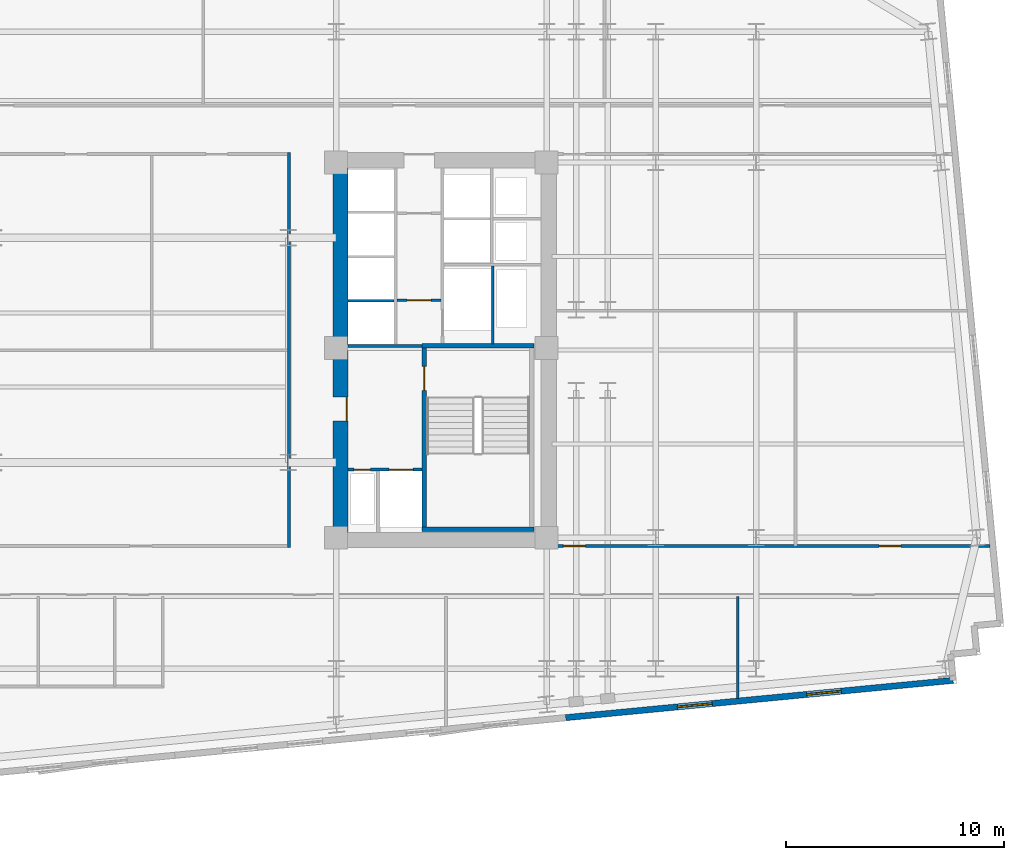
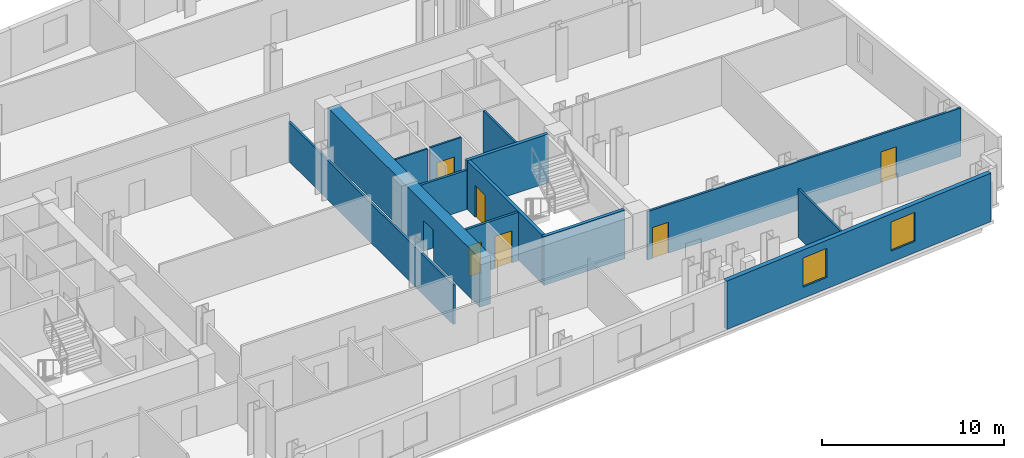
# One storey, part 6 of 10: 13 walls, 7 doors, 2 windows, 9 openings.
"""IFC4 building model written with IfcOpenShell, lengths in metres."""

import ifcopenshell
import ifcopenshell.guid

model = None  # the IFC model being written
_history = None  # IfcOwnerHistory: only IFC2X3 demands one
_inside = {}  # id of a spatial element -> (the spatial element, [elements in it])
_under = {}  # id of a project, library or spatial element -> (it, [spatial elements below it])
_declared = {}  # id of a project -> (the project, [libraries it declares])
_typed = {}  # id of a type object -> (the type object, [elements of that type])
_made_of = {}  # id of a material, layer set ... -> (it, [elements and type objects made of it])


def new_model(schema):
    """Start an empty IFC model of exactly this schema.

    Asked for "IFC4X3", IfcOpenShell would pick the latest addendum, in which some entities
    have other attributes; the version numbers below select the first issue.
    IFC2X3 requires an IfcOwnerHistory on every rooted entity: one is made here for all.
    """
    global model, _history
    if schema == "IFC4X3":
        model = ifcopenshell.file(schema_version=(4, 3, 0, 0))
    else:
        model = ifcopenshell.file(schema=schema)
    _inside.clear()
    _under.clear()
    _declared.clear()
    _typed.clear()
    _made_of.clear()
    _history = None
    if model.schema == "IFC2X3":
        org = make("IfcOrganization", Name="unknown")
        user = make(
            "IfcPersonAndOrganization",
            ThePerson=make("IfcPerson", FamilyName="unknown"),
            TheOrganization=org,
        )
        app = make(
            "IfcApplication",
            ApplicationDeveloper=org,
            Version="unknown",
            ApplicationFullName="unknown",
            ApplicationIdentifier="unknown",
        )
        _history = make(
            "IfcOwnerHistory",
            OwningUser=user,
            OwningApplication=app,
            ChangeAction="ADDED",
            CreationDate=0,
        )
    return model


def make(cls, **values):
    """One entity of the class cls with the attributes given. An attribute that is None is left unset."""
    return model.create_entity(
        cls, **{name: value for name, value in values.items() if value is not None}
    )


def rooted(cls, **values):
    """An entity with a GlobalId (a new one), such as an element, a storey or a relation."""
    return make(cls, GlobalId=ifcopenshell.guid.new(), OwnerHistory=_history, **values)


def si_unit(unit_type, name, prefix=None):
    """IfcSIUnit, for example si_unit("LENGTHUNIT", "METRE", prefix="MILLI")."""
    return make("IfcSIUnit", UnitType=unit_type, Prefix=prefix, Name=name)


def assignment(units):
    """IfcUnitAssignment: the units of a project."""
    return None if units is None else make("IfcUnitAssignment", Units=units)


def point(xyz):
    """IfcCartesianPoint."""
    return None if xyz is None else make("IfcCartesianPoint", Coordinates=xyz)


def direction(xyz):
    """IfcDirection."""
    return None if xyz is None else make("IfcDirection", DirectionRatios=xyz)


def frame(location, z_axis=None, x_axis=None):
    """IfcAxis2Placement3D, a coordinate frame: its origin and axes. An axis left out is left unset."""
    return make(
        "IfcAxis2Placement3D",
        Location=point(location),
        Axis=direction(z_axis),
        RefDirection=direction(x_axis),
    )


def frame_2d(location, x_axis=None):
    """IfcAxis2Placement2D, a coordinate frame in the plane: its origin and x axis."""
    return make(
        "IfcAxis2Placement2D", Location=point(location), RefDirection=direction(x_axis)
    )


def origin():
    """The frame at (0, 0, 0) with its axes left unset."""
    return frame((0.0, 0.0, 0.0))


def place(relative_to, where):
    """IfcLocalPlacement: puts the frame where relative to a parent placement (None: the world)."""
    return make(
        "IfcLocalPlacement", PlacementRelTo=relative_to, RelativePlacement=where
    )


def context(
    kind, dimensions, precision=None, world=None, true_north=None, identifier=None
):
    """IfcGeometricRepresentationContext, for example the 3D "Model" context."""
    return make(
        "IfcGeometricRepresentationContext",
        ContextIdentifier=identifier,
        ContextType=kind,
        CoordinateSpaceDimension=dimensions,
        Precision=precision,
        WorldCoordinateSystem=world,
        TrueNorth=true_north,
    )


def subcontext(parent, identifier, kind, view, scale=None):
    """IfcGeometricRepresentationSubContext, for example "Body" below "Model"."""
    return make(
        "IfcGeometricRepresentationSubContext",
        ContextIdentifier=identifier,
        ContextType=kind,
        ParentContext=parent,
        TargetScale=scale,
        TargetView=view,
    )


def project(units=None, contexts=None):
    """IfcProject with its units and contexts."""
    return rooted(
        "IfcProject",
        Name="project",
        RepresentationContexts=contexts,
        UnitsInContext=assignment(units),
    )


def spatial(cls, under=None, at=None, **own):
    """A site, building, storey or space (cls), placed at a placement, below another one or the project."""
    s = rooted(cls, ObjectPlacement=at, **own)
    if under is not None:
        _under.setdefault(under.id(), (under, []))[1].append(s)
    return s


def profile(cls, at=None, kind="AREA", **sizes):
    """A parametric profile (cls). Its sizes go by their IFC names, for example OverallWidth=200.0."""
    return make(cls, ProfileType=kind, Position=at, **sizes)


def rectangle(**sizes):
    """IfcRectangleProfileDef."""
    return profile("IfcRectangleProfileDef", **sizes)


def extrude(swept, where, along, depth):
    """IfcExtrudedAreaSolid: the profile swept, set in the frame where, extruded along a direction by depth."""
    return make(
        "IfcExtrudedAreaSolid",
        SweptArea=swept,
        Position=where,
        ExtrudedDirection=direction(along),
        Depth=depth,
    )


def shape(context_of_items, identifier, shape_type, items):
    """IfcShapeRepresentation: the items that make up one representation, for example the "Body"."""
    return make(
        "IfcShapeRepresentation",
        ContextOfItems=context_of_items,
        RepresentationIdentifier=identifier,
        RepresentationType=shape_type,
        Items=items,
    )


def material(Name=None, Category=None):
    """IfcMaterial."""
    return make("IfcMaterial", Name=Name, Category=Category)


def layer(
    of_material, thickness, ventilated=None, Name=None, Category=None, Priority=None
):
    """IfcMaterialLayer: one layer of a wall or slab, of a material (None: an air gap)."""
    return make(
        "IfcMaterialLayer",
        Material=of_material,
        LayerThickness=thickness,
        IsVentilated=ventilated,
        Name=Name,
        Category=Category,
        Priority=Priority,
    )


def layer_set(layers, Name=None):
    """IfcMaterialLayerSet."""
    return make("IfcMaterialLayerSet", MaterialLayers=layers, LayerSetName=Name)


def made_of(thing, what):
    """Note that an element or type object is made of a material, layer set ...; save() writes the relation."""
    if what is not None:
        _made_of.setdefault(what.id(), (what, []))[1].append(thing)
    return thing


def type_object(cls, material=None, **own):
    """A type object (cls), such as IfcWallType, which elements share."""
    return made_of(rooted(cls, **own), material)


def element(
    cls,
    number,
    at=None,
    inside=None,
    cuts=None,
    type_object=None,
    material=None,
    context=None,
    identifier="Body",
    shape_type=None,
    held_by="IfcProductDefinitionShape",
    body=None,
    shapes=None,
    **own,
):
    """One element of the class cls, such as IfcWall. Its Tag is "e" and its number.

    at: its placement. inside: the storey or other place that contains it. cuts: it is an
    opening in that element (IfcRelVoidsElement). A single representation is given by context,
    identifier, shape_type and body (its items); several are given by shapes. held_by: the class
    of the entity that holds the representations. save() writes the other relations.
    """
    e = rooted(cls, Tag="e%d" % number, ObjectPlacement=at, **own)
    if body is not None:
        shapes = [shape(context, identifier, shape_type, body)]
    if shapes is not None:
        e.Representation = make(held_by, Representations=shapes)
    if inside is not None:
        _inside.setdefault(inside.id(), (inside, []))[1].append(e)
    if cuts is not None:
        rooted(
            "IfcRelVoidsElement", RelatingBuildingElement=cuts, RelatedOpeningElement=e
        )
    if type_object is not None:
        _typed.setdefault(type_object.id(), (type_object, []))[1].append(e)
    return made_of(e, material)


def fill(opening, filler):
    """IfcRelFillsElement: the door or window that sits in an opening."""
    return rooted(
        "IfcRelFillsElement",
        RelatingOpeningElement=opening,
        RelatedBuildingElement=filler,
    )


def aggregate(whole, parts):
    """IfcRelAggregates: a whole, such as a stair, and the parts it consists of."""
    return rooted("IfcRelAggregates", RelatingObject=whole, RelatedObjects=parts)


def save(model, path):
    """Write the relations noted so far, then the file.

    IfcRelAggregates (storeys below a building ...), IfcRelContainedInSpatialStructure (elements
    in a storey), IfcRelDefinesByType, IfcRelAssociatesMaterial and IfcRelDeclares: one each for
    every whole, place, type object, material and project.
    """
    for whole, parts in _under.values():
        aggregate(whole, parts)
    for where, things in _inside.values():
        rooted(
            "IfcRelContainedInSpatialStructure",
            RelatedElements=things,
            RelatingStructure=where,
        )
    for kind, things in _typed.values():
        rooted("IfcRelDefinesByType", RelatedObjects=things, RelatingType=kind)
    for what, things in _made_of.values():
        rooted("IfcRelAssociatesMaterial", RelatedObjects=things, RelatingMaterial=what)
    for by, libraries in _declared.values():
        rooted("IfcRelDeclares", RelatingContext=by, RelatedDefinitions=libraries)
    model.write(path)


model = new_model("IFC4")

# Units and contexts
model_context = context("Model", 3, precision=1e-05, world=origin(), true_north=direction((0.0, 1.0)))
body_context = subcontext(model_context, "Body", "Model", "MODEL_VIEW")
ifc_project = project(units=[si_unit("LENGTHUNIT", "METRE"), si_unit("AREAUNIT", "SQUARE_METRE"), si_unit("VOLUMEUNIT", "CUBIC_METRE"), si_unit("PLANEANGLEUNIT", "RADIAN"), si_unit("MASSUNIT", "GRAM", prefix="KILO")], contexts=[model_context])

# Site, building, storey
site_placement = place(None, origin())
site = spatial("IfcSite", under=ifc_project, at=site_placement, CompositionType="ELEMENT")
building_placement = place(site_placement, origin())
building = spatial("IfcBuilding", under=site, at=building_placement, Name="Velakula Bourse", CompositionType="ELEMENT")
storey_placement = place(building_placement, frame((0.0, 0.0, 98.35009765625)))
storey = spatial("IfcBuildingStorey", under=building, at=storey_placement, Name="L26", CompositionType="ELEMENT", Elevation=98.35009765625)

# Wall, opening, door
ifc_material_1 = material(Name="Concrete M50 (fck 50 MPa)", Category="concrete")
ifc_layer_1 = layer(ifc_material_1, 0.2099609375, Name="Concrete M50 (fck 50 MPa)", Category="concrete")
ifc_layer_set_1 = layer_set([ifc_layer_1], Name="Concrete M50 (fck 50 MPa)")
wall_type_1 = type_object("IfcWallType", Name="WL-CORE-210", PredefinedType="SHEAR", material=ifc_layer_set_1)
wall_1_placement = place(storey_placement, frame((12.9951171875, -8.10009765625, 0.0), z_axis=(0.0, 0.0, 1.0), x_axis=(0.0, 1.0, 0.0)))
wall_1 = element("IfcWall", 1, at=wall_1_placement, inside=storey, type_object=wall_type_1, Name="L26 Core E Stairwell Shear Wall IN", PredefinedType="SHEAR", context=body_context, shape_type="SweptSolid", body=[
    extrude(rectangle(XDim=8.2001953125, YDim=0.2099609375, at=frame_2d((4.10009765625, 0.0))), origin(), (0.0, 0.0, 1.0), 3.27001953125),
])
opening_1_placement = place(wall_1_placement, frame((6.25, 0.0, 0.0)))
opening_1 = element("IfcOpeningElement", 2, at=opening_1_placement, cuts=wall_1, Name="Opening D-STE1", PredefinedType="OPENING", context=body_context, shape_type="SweptSolid", body=[
    extrude(rectangle(XDim=1.10009765625, YDim=2.14990234375, at=frame_2d((0.550048828125, 1.074951171875))), frame((0.0, 0.114990234375, 0.0), z_axis=(0.0, -1.0, 0.0), x_axis=(1.0, 0.0, 0.0)), (0.0, 0.0, 1.0), 0.22998046875),
])
ifc_material_2 = material(Name="Galvanised painted hollow steel fire door", Category="steel")
door_type_1 = type_object("IfcDoorType", Name="DR-FD120-1100x2150", OperationType="NOTDEFINED", PredefinedType="DOOR", material=ifc_material_2)
door_1_placement = place(opening_1_placement, origin())
door_1 = element("IfcDoor", 3, at=door_1_placement, inside=storey, type_object=door_type_1, Name="L26 Stair ST-E1 Fire Door", OperationType="SINGLE_SWING_RIGHT", OverallHeight=2.14990234375, OverallWidth=1.10009765625, PredefinedType="DOOR", context=body_context, shape_type="SweptSolid", body=[
    extrude(rectangle(XDim=1.10009765625, YDim=2.14990234375, at=frame_2d((0.550048828125, 1.074951171875))), frame((0.0, 0.02490234375, 0.0), z_axis=(0.0, -1.0, 0.0), x_axis=(1.0, 0.0, 0.0)), (0.0, 0.0, 1.0), 0.050048828125),
])
fill(opening_1, door_1)

# Walls
for number, where, z_axis, x_axis, name in (
    (4, (12.889892578125, -8.205078125, 0.0), (0.0, 0.0, 1.0), (1.0, 0.0, 0.0), "L26 Core E Stairwell Shear Wall S"),
    (5, (18.030029296875, 0.205078125, 0.0), (0.0, 0.0, 1.0), (-1.0, 0.0, 0.0), "L26 Core E Stairwell Shear Wall N"),
):
    element("IfcWall", number, at=place(storey_placement, frame(where, z_axis=z_axis, x_axis=x_axis)), inside=storey, type_object=wall_type_1, Name=name, PredefinedType="SHEAR", context=body_context, shape_type="SweptSolid", body=[
        extrude(rectangle(XDim=5.14013671875, YDim=0.2099609375, at=frame_2d((2.570068359375, 0.0))), origin(), (0.0, 0.0, 1.0), 3.27001953125),
    ])

# Wall, opening, door
ifc_material_3 = material(Name="Concrete M70 (fck 70 MPa)", Category="concrete")
ifc_layer_2 = layer(ifc_material_3, 0.699951171875, Name="Concrete M70 (fck 70 MPa)", Category="concrete")
ifc_layer_set_2 = layer_set([ifc_layer_2], Name="Concrete M70 (fck 70 MPa)")
wall_type_2 = type_object("IfcWallType", Name="WL-CORE-700", PredefinedType="SHEAR", material=ifc_layer_set_2)
wall_2_placement = place(storey_placement, frame((9.14990234375, -8.35009765625, 0.0), z_axis=(0.0, 0.0, 1.0), x_axis=(0.0, 1.0, 0.0)))
wall_2 = element("IfcWall", 6, at=wall_2_placement, inside=storey, type_object=wall_type_2, Name="L26 Core E Shear Wall W", PredefinedType="SHEAR", context=body_context, shape_type="SweptSolid", body=[
    extrude(rectangle(XDim=16.7001953125, YDim=0.699951171875, at=frame_2d((8.35009765625, 0.0))), origin(), (0.0, 0.0, 1.0), 3.27001953125),
])
opening_2_placement = place(wall_2_placement, frame((5.10009765625, 0.0, 0.0)))
opening_2 = element("IfcOpeningElement", 7, at=opening_2_placement, cuts=wall_2, Name="Opening D-FLE", PredefinedType="OPENING", context=body_context, shape_type="SweptSolid", body=[
    extrude(rectangle(XDim=1.10009765625, YDim=2.080078125, at=frame_2d((0.550048828125, 1.0400390625))), frame((0.0, 0.35986328125, 0.0), z_axis=(0.0, -1.0, 0.0), x_axis=(1.0, 0.0, 0.0)), (0.0, 0.0, 1.0), 0.719970703125),
])
door_type_2 = type_object("IfcDoorType", Name="DR-FD120-1100", OperationType="NOTDEFINED", PredefinedType="DOOR", material=ifc_material_2)
door_2_placement = place(opening_2_placement, origin())
door_2 = element("IfcDoor", 8, at=door_2_placement, inside=storey, type_object=door_type_2, Name="L26 Firefighting Lobby E Corridor Fire Door", OperationType="SINGLE_SWING_RIGHT", OverallHeight=2.080078125, OverallWidth=1.10009765625, PredefinedType="DOOR", context=body_context, shape_type="SweptSolid", body=[
    extrude(rectangle(XDim=1.10009765625, YDim=2.080078125, at=frame_2d((0.550048828125, 1.0400390625))), frame((0.0, -0.2548828125, 0.0), z_axis=(0.0, -1.0, 0.0), x_axis=(1.0, 0.0, 0.0)), (0.0, 0.0, 1.0), 0.050048828125),
])
fill(opening_2, door_2)

# Wall, openings, windows
ifc_material_4 = material(Name="Red kilned clay facing brick masonry", Category="masonry")
ifc_layer_3 = layer(ifc_material_4, 0.280029296875, Name="Red kilned clay facing brick masonry", Category="masonry")
ifc_layer_set_3 = layer_set([ifc_layer_3], Name="Red kilned clay facing brick masonry")
wall_type_3 = type_object("IfcWallType", Name="WL-EXT-BRK-280", PredefinedType="STANDARD", material=ifc_layer_set_3)
wall_3_placement = place(storey_placement, frame((37.2314453125, -15.138427734375, 0.0), z_axis=(0.0, 0.0, 1.0), x_axis=(-0.995395780835, -0.095850088663, 0.0)))
wall_3 = element("IfcWall", 9, at=wall_3_placement, inside=storey, type_object=wall_type_3, Name="L26 S Brick Spandrel Wall B5", PredefinedType="STANDARD", context=body_context, shape_type="SweptSolid", body=[
    extrude(rectangle(XDim=17.83984375, YDim=0.280029296875, at=frame_2d((8.919921875, 0.0))), origin(), (0.0, 0.0, 1.0), 3.25),
])
opening_3_placement = place(wall_3_placement, frame((5.146728515625, 0.0, 0.760009765625)))
opening_3 = element("IfcOpeningElement", 10, at=opening_3_placement, cuts=wall_3, Name="Opening W-02", PredefinedType="OPENING", context=body_context, shape_type="SweptSolid", body=[
    extrude(rectangle(XDim=1.60009765625, YDim=1.949951171875, at=frame_2d((0.800048828125, 0.97509765625))), frame((0.0, 0.14990234375, 0.0), z_axis=(0.0, -1.0, 0.0), x_axis=(1.0, 0.0, 0.0)), (0.0, 0.0, 1.0), 0.300048828125),
])
opening_4_placement = place(wall_3_placement, frame((11.09326171875, 0.0, 0.760009765625)))
opening_4 = element("IfcOpeningElement", 11, at=opening_4_placement, cuts=wall_3, Name="Opening W-02", PredefinedType="OPENING", context=body_context, shape_type="SweptSolid", body=[
    extrude(rectangle(XDim=1.60009765625, YDim=1.949951171875, at=frame_2d((0.800048828125, 0.97509765625))), frame((0.0, 0.14990234375, 0.0), z_axis=(0.0, -1.0, 0.0), x_axis=(1.0, 0.0, 0.0)), (0.0, 0.0, 1.0), 0.300048828125),
])
ifc_material_5 = material(Name="Double-glazed solar-control Low-E glass", Category="glass")
window_type = type_object("IfcWindowType", Name="WIN-TWR-1600x2100", PartitioningType="SINGLE_PANEL", PredefinedType="WINDOW", material=ifc_material_5)
window_1_placement = place(opening_3_placement, origin())
window_1 = element("IfcWindow", 12, at=window_1_placement, inside=storey, type_object=window_type, Name="L26 Deep-Set Recessed Window 1", OverallHeight=1.949951171875, OverallWidth=1.60009765625, PartitioningType="SINGLE_PANEL", PredefinedType="WINDOW", context=body_context, shape_type="SweptSolid", body=[
    extrude(rectangle(XDim=1.60009765625, YDim=1.949951171875, at=frame_2d((0.800048828125, 0.97509765625))), frame((0.0, 0.030029296875, 0.0), z_axis=(0.0, -1.0, 0.0), x_axis=(1.0, 0.0, 0.0)), (0.0, 0.0, 1.0), 0.06005859375),
])
fill(opening_3, window_1)
window_2_placement = place(opening_4_placement, origin())
window_2 = element("IfcWindow", 13, at=window_2_placement, inside=storey, type_object=window_type, Name="L26 Deep-Set Recessed Window 2", OverallHeight=1.949951171875, OverallWidth=1.60009765625, PartitioningType="SINGLE_PANEL", PredefinedType="WINDOW", context=body_context, shape_type="SweptSolid", body=[
    extrude(rectangle(XDim=1.60009765625, YDim=1.949951171875, at=frame_2d((0.800048828125, 0.97509765625))), frame((0.0, 0.030029296875, 0.0), z_axis=(0.0, -1.0, 0.0), x_axis=(1.0, 0.0, 0.0)), (0.0, 0.0, 1.0), 0.06005859375),
])
fill(opening_4, window_2)

# Wall, opening, door
ifc_material_6 = material(Name="Fire-rated double-layer gypsum drywall partition", Category="gypsum")
ifc_layer_4 = layer(ifc_material_6, 0.1201171875, Name="Fire-rated double-layer gypsum drywall partition", Category="gypsum")
ifc_layer_set_4 = layer_set([ifc_layer_4], Name="Fire-rated double-layer gypsum drywall partition")
wall_type_4 = type_object("IfcWallType", Name="WL-PART-120", PredefinedType="STANDARD", material=ifc_layer_set_4)
wall_4_placement = place(storey_placement, frame((11.75, 2.280029296875, 0.0), z_axis=(0.0, 0.0, 1.0), x_axis=(1.0, 0.0, 0.0)))
wall_4 = element("IfcWall", 14, at=wall_4_placement, inside=storey, type_object=wall_type_4, Name="L26 Interior Partition WL-CRE-L26-LL-K3A", PredefinedType="STANDARD", context=body_context, shape_type="SweptSolid", body=[
    extrude(rectangle(XDim=2.0, YDim=0.1201171875, at=frame_2d((1.0, 0.0))), origin(), (0.0, 0.0, 1.0), 3.25),
])
opening_5_placement = place(wall_4_placement, frame((0.449951171875, 0.0, 0.0)))
opening_5 = element("IfcOpeningElement", 15, at=opening_5_placement, cuts=wall_4, Name="Opening D-LK3", PredefinedType="OPENING", context=body_context, shape_type="SweptSolid", body=[
    extrude(rectangle(XDim=1.10009765625, YDim=2.10009765625, at=frame_2d((0.550048828125, 1.050048828125))), frame((0.0, 0.070068359375, 0.0), z_axis=(0.0, -1.0, 0.0), x_axis=(1.0, 0.0, 0.0)), (0.0, 0.0, 1.0), 0.14013671875),
])
ifc_material_7 = material(Name="Fire-rated hardwood flush architectural door", Category="wood")
door_type_3 = type_object("IfcDoorType", Name="DR-FD60-1100x2100", OperationType="NOTDEFINED", PredefinedType="DOOR", material=ifc_material_7)
door_3_placement = place(opening_5_placement, origin())
door_3 = element("IfcDoor", 16, at=door_3_placement, inside=storey, type_object=door_type_3, Name="L26 Core E Lift Lobby Vestibule Door A", OperationType="SINGLE_SWING_LEFT", OverallHeight=2.10009765625, OverallWidth=1.10009765625, PredefinedType="DOOR", context=body_context, shape_type="SweptSolid", body=[
    extrude(rectangle(XDim=1.10009765625, YDim=2.10009765625, at=frame_2d((0.550048828125, 1.050048828125))), frame((0.0, 0.02490234375, 0.0), z_axis=(0.0, -1.0, 0.0), x_axis=(1.0, 0.0, 0.0)), (0.0, 0.0, 1.0), 0.050048828125),
])
fill(opening_5, door_3)

# Walls
wall_5_placement = place(storey_placement, frame((9.5, 2.2548828125, 0.0), z_axis=(0.0, 0.0, 1.0), x_axis=(1.0, 0.0, 0.0)))
element("IfcWall", 17, at=wall_5_placement, inside=storey, type_object=wall_type_4, Name="L26 Interior Partition WL-CRE-L26-BDIV-0", PredefinedType="STANDARD", context=body_context, shape_type="SweptSolid", body=[
    extrude(rectangle(XDim=2.10009765625, YDim=0.110107421875, at=frame_2d((1.050048828125, 0.0))), origin(), (0.0, 0.0, 1.0), 3.25),
])
wall_6_placement = place(storey_placement, frame((16.125, 0.27001953125, 0.0), z_axis=(0.0, 0.0, 1.0), x_axis=(0.0, 1.0, 0.0)))
element("IfcWall", 18, at=wall_6_placement, inside=storey, type_object=wall_type_4, Name="L26 Interior Partition WL-CRE-L26-SVL-E", PredefinedType="STANDARD", context=body_context, shape_type="SweptSolid", body=[
    extrude(rectangle(XDim=3.590087890625, YDim=0.1201171875, at=frame_2d((1.794921875, 0.0))), origin(), (0.0, 0.0, 1.0), 3.25),
])
wall_7_placement = place(storey_placement, frame((27.35400390625, -15.968994140625, 0.0), z_axis=(0.0, 0.0, 1.0), x_axis=(0.0, 1.0, 0.0)))
element("IfcWall", 19, at=wall_7_placement, inside=storey, type_object=wall_type_4, Name="L26 Interior Partition WL-INT-L26-SR-D8", PredefinedType="STANDARD", context=body_context, shape_type="SweptSolid", body=[
    extrude(rectangle(XDim=4.678955078125, YDim=0.1201171875, at=frame_2d((2.33935546875, 0.0))), origin(), (0.0, 0.0, 1.0), 3.25),
])

# Wall, openings, doors
ifc_layer_5 = layer(ifc_material_6, 0.139892578125, Name="Fire-rated double-layer gypsum drywall partition", Category="gypsum")
ifc_layer_set_5 = layer_set([ifc_layer_5], Name="Fire-rated double-layer gypsum drywall partition")
wall_type_5 = type_object("IfcWallType", Name="WL-PART-140", PredefinedType="STANDARD", material=ifc_layer_set_5)
wall_8_placement = place(storey_placement, frame((19.050048828125, -8.97998046875, 0.0), z_axis=(0.0, 0.0, 1.0), x_axis=(1.0, 0.0, 0.0)))
wall_8 = element("IfcWall", 20, at=wall_8_placement, inside=storey, type_object=wall_type_5, Name="L26 Interior Partition WL-INT-L26-E-SC", PredefinedType="STANDARD", context=body_context, shape_type="SweptSolid", body=[
    extrude(rectangle(XDim=19.87890625, YDim=0.139892578125, at=frame_2d((9.939453125, 0.0))), origin(), (0.0, 0.0, 1.0), 3.25),
])
opening_6_placement = place(wall_8_placement, frame((0.320068359375, 0.0, 0.0)))
opening_6 = element("IfcOpeningElement", 21, at=opening_6_placement, cuts=wall_8, Name="Opening D-OF1", PredefinedType="OPENING", context=body_context, shape_type="SweptSolid", body=[
    extrude(rectangle(XDim=1.0, YDim=2.080078125, at=frame_2d((0.5, 1.0400390625))), frame((0.0, 0.079833984375, 0.0), z_axis=(0.0, -1.0, 0.0), x_axis=(1.0, 0.0, 0.0)), (0.0, 0.0, 1.0), 0.159912109375),
])
opening_7_placement = place(wall_8_placement, frame((14.7890625, 0.0, 0.0)))
opening_7 = element("IfcOpeningElement", 22, at=opening_7_placement, cuts=wall_8, Name="Opening D-OF1", PredefinedType="OPENING", context=body_context, shape_type="SweptSolid", body=[
    extrude(rectangle(XDim=1.0, YDim=2.080078125, at=frame_2d((0.5, 1.0400390625))), frame((0.0, 0.079833984375, 0.0), z_axis=(0.0, -1.0, 0.0), x_axis=(1.0, 0.0, 0.0)), (0.0, 0.0, 1.0), 0.159912109375),
])
door_type_4 = type_object("IfcDoorType", Name="DR-OFF-1000", OperationType="NOTDEFINED", PredefinedType="DOOR", material=ifc_material_7)
door_4_placement = place(opening_6_placement, origin())
door_4 = element("IfcDoor", 23, at=door_4_placement, inside=storey, type_object=door_type_4, Name="L26 Green-Bond Carbon Exchange Workspace Door", OperationType="SINGLE_SWING_RIGHT", OverallHeight=2.080078125, OverallWidth=1.0, PredefinedType="DOOR", context=body_context, shape_type="SweptSolid", body=[
    extrude(rectangle(XDim=1.0, YDim=2.080078125, at=frame_2d((0.5, 1.0400390625))), frame((0.0, 0.02490234375, 0.0), z_axis=(0.0, -1.0, 0.0), x_axis=(1.0, 0.0, 0.0)), (0.0, 0.0, 1.0), 0.050048828125),
])
fill(opening_6, door_4)
door_5_placement = place(opening_7_placement, origin())
door_5 = element("IfcDoor", 24, at=door_5_placement, inside=storey, type_object=door_type_4, Name="L26 Compliance Review Office Door", OperationType="SINGLE_SWING_LEFT", OverallHeight=2.080078125, OverallWidth=1.0, PredefinedType="DOOR", context=body_context, shape_type="SweptSolid", body=[
    extrude(rectangle(XDim=1.0, YDim=2.080078125, at=frame_2d((0.5, 1.0400390625))), frame((0.0, 0.02490234375, 0.0), z_axis=(0.0, -1.0, 0.0), x_axis=(1.0, 0.0, 0.0)), (0.0, 0.0, 1.0), 0.050048828125),
])
fill(opening_7, door_5)

# Wall
wall_9_placement = place(storey_placement, frame((6.780029296875, -9.050048828125, 0.0), z_axis=(0.0, 0.0, 1.0), x_axis=(0.0, 1.0, 0.0)))
element("IfcWall", 25, at=wall_9_placement, inside=storey, type_object=wall_type_5, Name="L26 Interior Partition WL-INT-L26-MID-E", PredefinedType="STANDARD", context=body_context, shape_type="SweptSolid", body=[
    extrude(rectangle(XDim=18.10009765625, YDim=0.139892578125, at=frame_2d((9.050048828125, 0.0))), origin(), (0.0, 0.0, 1.0), 2.64501953125),
])

# Wall, openings, doors
ifc_material_8 = material(Name="Autoclaved aerated concrete blockwork masonry", Category="masonry")
ifc_layer_6 = layer(ifc_material_8, 0.14990234375, Name="Autoclaved aerated concrete blockwork masonry", Category="masonry")
ifc_layer_set_6 = layer_set([ifc_layer_6], Name="Autoclaved aerated concrete blockwork masonry")
wall_type_6 = type_object("IfcWallType", Name="WL-SHAFT-150", PredefinedType="STANDARD", material=ifc_layer_set_6)
wall_10_placement = place(storey_placement, frame((9.5, -5.47509765625, 0.0), z_axis=(0.0, 0.0, 1.0), x_axis=(1.0, 0.0, 0.0)))
wall_10 = element("IfcWall", 26, at=wall_10_placement, inside=storey, type_object=wall_type_6, Name="L26 Interior Partition WL-CRE-L26-FFL-N", PredefinedType="STANDARD", context=body_context, shape_type="SweptSolid", body=[
    extrude(rectangle(XDim=3.39501953125, YDim=0.14990234375, at=frame_2d((1.697509765625, 0.0))), origin(), (0.0, 0.0, 1.0), 3.25),
])
opening_8_placement = place(wall_10_placement, frame((1.875, 0.0, 0.0)))
opening_8 = element("IfcOpeningElement", 27, at=opening_8_placement, cuts=wall_10, Name="Opening LD-FFL-2", PredefinedType="OPENING", context=body_context, shape_type="SweptSolid", body=[
    extrude(rectangle(XDim=1.10009765625, YDim=2.14990234375, at=frame_2d((0.550048828125, 1.074951171875))), frame((0.0, 0.0849609375, 0.0), z_axis=(0.0, -1.0, 0.0), x_axis=(1.0, 0.0, 0.0)), (0.0, 0.0, 1.0), 0.169921875),
])
opening_9_placement = place(wall_10_placement, frame((0.27490234375, 0.0, 0.0)))
opening_9 = element("IfcOpeningElement", 28, at=opening_9_placement, cuts=wall_10, Name="Opening D-RS1", PredefinedType="OPENING", context=body_context, shape_type="SweptSolid", body=[
    extrude(rectangle(XDim=0.75, YDim=2.050048828125, at=frame_2d((0.375, 1.02490234375))), frame((0.0, 0.0849609375, 0.0), z_axis=(0.0, -1.0, 0.0), x_axis=(1.0, 0.0, 0.0)), (0.0, 0.0, 1.0), 0.169921875),
])
door_type_5 = type_object("IfcDoorType", Name="DR-RISER-800", OperationType="NOTDEFINED", PredefinedType="DOOR", material=ifc_material_2)
door_6_placement = place(opening_9_placement, origin())
door_6 = element("IfcDoor", 29, at=door_6_placement, inside=storey, type_object=door_type_5, Name="L26 Fire Riser Access Door", OperationType="SINGLE_SWING_LEFT", OverallHeight=2.050048828125, OverallWidth=0.75, PredefinedType="DOOR", context=body_context, shape_type="SweptSolid", body=[
    extrude(rectangle(XDim=0.75, YDim=2.050048828125, at=frame_2d((0.375, 1.02490234375))), frame((0.0, 0.02490234375, 0.0), z_axis=(0.0, -1.0, 0.0), x_axis=(1.0, 0.0, 0.0)), (0.0, 0.0, 1.0), 0.050048828125),
])
fill(opening_9, door_6)
ifc_material_9 = material(Name="Brushed grade 316 stainless steel", Category="steel")
door_type_6 = type_object("IfcDoorType", Name="DR-SLIDE-FFL-1100", OperationType="DOUBLE_DOOR_SLIDING", PredefinedType="DOOR", material=ifc_material_9)
door_7_placement = place(opening_8_placement, origin())
door_7 = element("IfcDoor", 30, at=door_7_placement, inside=storey, type_object=door_type_6, Name="L26 Firefighting Lift FFL-2 Sliding Landing Door", OperationType="DOUBLE_DOOR_SLIDING", OverallHeight=2.14990234375, OverallWidth=1.10009765625, PredefinedType="DOOR", context=body_context, shape_type="SweptSolid", body=[
    extrude(rectangle(XDim=1.10009765625, YDim=2.14990234375, at=frame_2d((0.550048828125, 1.074951171875))), frame((0.0, 0.02490234375, 0.0), z_axis=(0.0, -1.0, 0.0), x_axis=(1.0, 0.0, 0.0)), (0.0, 0.0, 1.0), 0.050048828125),
])
fill(opening_8, door_7)

# Wall
wall_11_placement = place(storey_placement, frame((9.5, 0.18994140625, 0.0), z_axis=(0.0, 0.0, 1.0), x_axis=(1.0, 0.0, 0.0)))
element("IfcWall", 31, at=wall_11_placement, inside=storey, type_object=wall_type_6, Name="L26 Interior Partition WL-CRE-L26-FF-TOP", PredefinedType="STANDARD", context=body_context, shape_type="SweptSolid", body=[
    extrude(rectangle(XDim=3.389892578125, YDim=0.14990234375, at=frame_2d((1.69482421875, 0.0))), origin(), (0.0, 0.0, 1.0), 2.64501953125),
])

save(model, "model.ifc")
